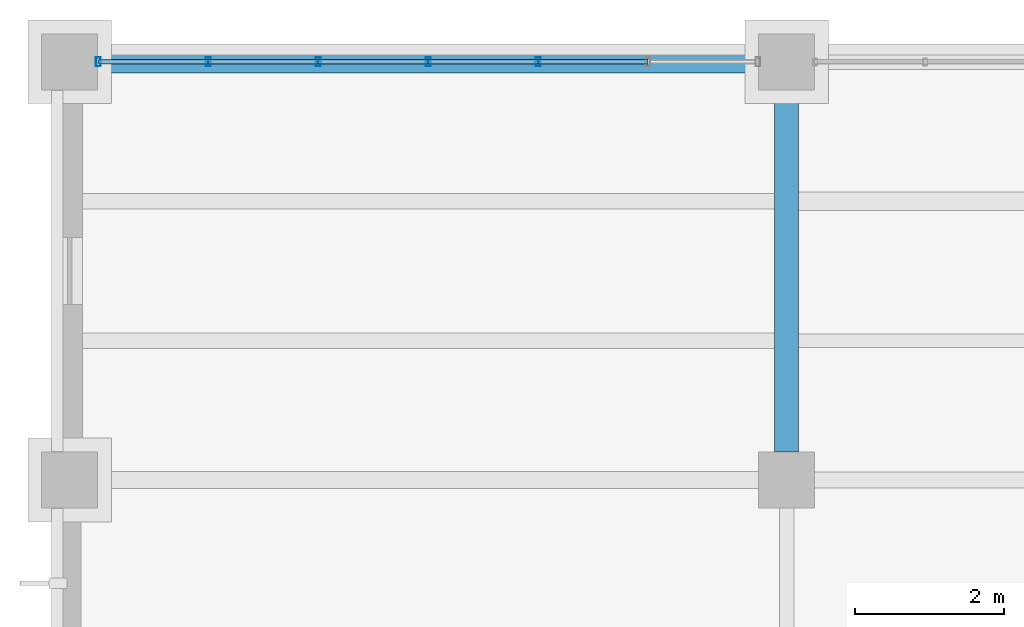
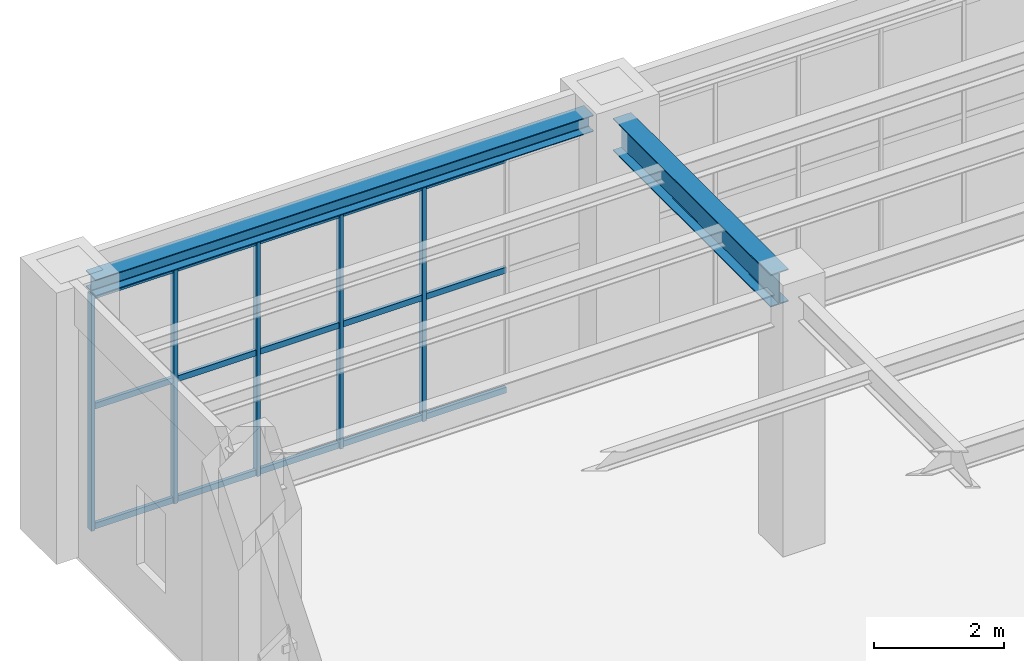
# One storey, part 74 of 174: 20 members, 2 beams, 1 element without a shape of its own.
"""IFC4 building model written with IfcOpenShell, lengths in metres."""

from ifc_helpers import new_model, si_unit, direction, frame, origin, origin_2d, place, context, subcontext, project, spatial, hollow_rectangle, i_section, extrude, material, material_profile, profile_set, type_object, element, aggregate, save


model = new_model("IFC4")

# Units and contexts
model_context = context("Model", 3, precision=1e-05, world=origin(), true_north=direction((0.0, 1.0)))
body_context = subcontext(model_context, "Body", "Model", "MODEL_VIEW")
ifc_project = project(units=[si_unit("LENGTHUNIT", "METRE"), si_unit("AREAUNIT", "SQUARE_METRE"), si_unit("VOLUMEUNIT", "CUBIC_METRE"), si_unit("PLANEANGLEUNIT", "RADIAN"), si_unit("MASSUNIT", "GRAM", prefix="KILO")], contexts=[model_context])

# Site, building, storey
site_placement = place(None, origin())
site = spatial("IfcSite", under=ifc_project, at=site_placement, CompositionType="ELEMENT")
building_placement = place(site_placement, origin())
building = spatial("IfcBuilding", under=site, at=building_placement, Name="Mavantir Sound Aquarium", CompositionType="ELEMENT")
storey_placement = place(building_placement, frame((0.0, 0.0, 5.39990234375)))
storey = spatial("IfcBuildingStorey", under=building, at=storey_placement, Name="L01", CompositionType="ELEMENT", Elevation=5.39990234375)

# Beams
ifc_material_1 = material(Name="Structural Steel ASTM A992 Gr50", Category="steel")
ifc_material_profile_1 = material_profile(ifc_material_1, i_section(OverallWidth=0.304931640625, OverallDepth=0.30810546875, WebThickness=0.010009765625, FlangeThickness=0.015380859375, FilletRadius=0.014892578125, at=origin_2d()), Name="W310X97")
ifc_profile_set_1 = profile_set([ifc_material_profile_1], Name="Structural Steel ASTM A992 Gr50")
beam_type_1 = type_object("IfcBeamType", Name="BM-W310X97-E", PredefinedType="SPANDREL", material=ifc_profile_set_1)
beam_1_placement = place(storey_placement, frame((0.375, 116.0, 4.6220703125), z_axis=(1.0, 0.0, 0.0), x_axis=(0.0, 1.0, 0.0)))
element("IfcBeam", 1, at=beam_1_placement, inside=storey, type_object=beam_type_1, Name="L01 primary beam SS-31A 1373", PredefinedType="SPANDREL", context=body_context, shape_type="SweptSolid", body=[
    extrude(i_section(OverallWidth=0.304931640625, OverallDepth=0.30810546875, WebThickness=0.010009765625, FlangeThickness=0.015380859375, FilletRadius=0.014892578125, at=origin_2d()), origin(), (0.0, 0.0, 1.0), 8.85009765625),
])
ifc_material_profile_2 = material_profile(ifc_material_1, i_section(OverallWidth=0.323974609375, OverallDepth=0.611083984375, WebThickness=0.0126953125, FlangeThickness=0.01904296875, FilletRadius=0.01904296875, at=origin_2d()), Name="W610X155")
ifc_profile_set_2 = profile_set([ifc_material_profile_2], Name="Structural Steel ASTM A992 Gr50")
beam_type_2 = type_object("IfcBeamType", Name="BM-W610X155-I", PredefinedType="BEAM", material=ifc_profile_set_2)
beam_2_placement = place(storey_placement, frame((9.60009765625, 110.77490234375, 4.470703125), z_axis=(0.0, 1.0, 0.0), x_axis=(-1.0, 0.0, 0.0)))
element("IfcBeam", 2, at=beam_2_placement, inside=storey, type_object=beam_type_2, Name="L01 primary girder SB-61A 1384", PredefinedType="BEAM", context=body_context, shape_type="SweptSolid", body=[
    extrude(i_section(OverallWidth=0.323974609375, OverallDepth=0.611083984375, WebThickness=0.0126953125, FlangeThickness=0.01904296875, FilletRadius=0.01904296875, at=origin_2d()), origin(), (0.0, 0.0, 1.0), 4.85009765625),
])

# Curtain wall, members
ifc_material_2 = material(Name="Anodised Marine Aluminium and Low-E Glass", Category="aluminium")
curtain_wall_type = type_object("IfcCurtainWallType", Name="CW-T24", PredefinedType="USERDEFINED", material=ifc_material_2)
curtain_wall_placement = place(storey_placement, origin())
curtain_wall = element("IfcCurtainWall", 3, at=curtain_wall_placement, inside=storey, type_object=curtain_wall_type, Name="L01 unitised curtain wall CW-24 120", ObjectType="UNITISED GLAZING", PredefinedType="USERDEFINED")
ifc_material_3 = material(Name="Anodised Marine Aluminium 6063-T6", Category="aluminium")
ifc_material_profile_3 = material_profile(ifc_material_3, hollow_rectangle(XDim=0.06494140625, YDim=0.1201171875, WallThickness=0.00390625, at=origin_2d()), Name="ALU-MULLION-120X65")
ifc_profile_set_3 = profile_set([ifc_material_profile_3], Name="Anodised Marine Aluminium 6063-T6")
member_type_1 = type_object("IfcMemberType", Name="CW-MUL-120", PredefinedType="MULLION", material=ifc_profile_set_3)
member_1_placement = place(storey_placement, frame((6.272216796875, 116.0, 0.0), z_axis=(0.0, 0.0, 1.0), x_axis=(1.0, 0.0, 0.0)))
member_1 = element("IfcMember", 4, at=member_1_placement, type_object=member_type_1, Name="CW-L01-120 vertical mullion 3", PredefinedType="MULLION", context=body_context, shape_type="SweptSolid", body=[
    extrude(hollow_rectangle(XDim=0.06494140625, YDim=0.1201171875, WallThickness=0.00390625, at=origin_2d()), origin(), (0.0, 0.0, 1.0), 4.43798828125),
])
member_2_placement = place(storey_placement, frame((4.800048828125, 116.0, 0.0), z_axis=(0.0, 0.0, 1.0), x_axis=(1.0, 0.0, 0.0)))
member_2 = element("IfcMember", 5, at=member_2_placement, type_object=member_type_1, Name="CW-L01-120 vertical mullion 4", PredefinedType="MULLION", context=body_context, shape_type="SweptSolid", body=[
    extrude(hollow_rectangle(XDim=0.06494140625, YDim=0.1201171875, WallThickness=0.00390625, at=origin_2d()), origin(), (0.0, 0.0, 1.0), 4.43798828125),
])
member_3_placement = place(storey_placement, frame((3.32763671875, 116.0, 0.0), z_axis=(0.0, 0.0, 1.0), x_axis=(1.0, 0.0, 0.0)))
member_3 = element("IfcMember", 6, at=member_3_placement, type_object=member_type_1, Name="CW-L01-120 vertical mullion 5", PredefinedType="MULLION", context=body_context, shape_type="SweptSolid", body=[
    extrude(hollow_rectangle(XDim=0.06494140625, YDim=0.1201171875, WallThickness=0.00390625, at=origin_2d()), origin(), (0.0, 0.0, 1.0), 4.43798828125),
])
member_4_placement = place(storey_placement, frame((1.855224609375, 116.0, 0.0), z_axis=(0.0, 0.0, 1.0), x_axis=(1.0, 0.0, 0.0)))
member_4 = element("IfcMember", 7, at=member_4_placement, type_object=member_type_1, Name="CW-L01-120 vertical mullion 6", PredefinedType="MULLION", context=body_context, shape_type="SweptSolid", body=[
    extrude(hollow_rectangle(XDim=0.06494140625, YDim=0.1201171875, WallThickness=0.00390625, at=origin_2d()), origin(), (0.0, 0.0, 1.0), 4.43798828125),
])
member_5_placement = place(storey_placement, frame((0.383056640625, 116.0, 0.0), z_axis=(0.0, 0.0, 1.0), x_axis=(1.0, 0.0, 0.0)))
member_5 = element("IfcMember", 8, at=member_5_placement, type_object=member_type_1, Name="CW-L01-120 vertical mullion 7", PredefinedType="MULLION", context=body_context, shape_type="SweptSolid", body=[
    extrude(hollow_rectangle(XDim=0.06494140625, YDim=0.1201171875, WallThickness=0.00390625, at=origin_2d()), origin(), (0.0, 0.0, 1.0), 4.43798828125),
])
ifc_material_profile_4 = material_profile(ifc_material_3, hollow_rectangle(XDim=0.06005859375, YDim=0.110107421875, WallThickness=0.00390625, at=origin_2d()), Name="ALU-TRANSOM-110X60")
ifc_profile_set_4 = profile_set([ifc_material_profile_4], Name="Anodised Marine Aluminium 6063-T6")
member_type_2 = type_object("IfcMemberType", Name="CW-TRN-110", PredefinedType="USERDEFINED", material=ifc_profile_set_4)
member_6_placement = place(storey_placement, frame((7.74462890625, 116.0, 0.05517578125), z_axis=(-1.0, 0.0, 0.0), x_axis=(0.0, -1.0, 0.0)))
member_6 = element("IfcMember", 9, at=member_6_placement, type_object=member_type_2, Name="CW-L01-120 transom 2.1", ObjectType="TRANSOM", PredefinedType="USERDEFINED", context=body_context, shape_type="SweptSolid", body=[
    extrude(hollow_rectangle(XDim=0.06005859375, YDim=0.110107421875, WallThickness=0.00390625, at=origin_2d()), origin(), (0.0, 0.0, 1.0), 1.472412109375),
])
member_7_placement = place(storey_placement, frame((7.74462890625, 116.0, 2.307861328125), z_axis=(-1.0, 0.0, 0.0), x_axis=(0.0, -1.0, 0.0)))
member_7 = element("IfcMember", 10, at=member_7_placement, type_object=member_type_2, Name="CW-L01-120 transom 2.2", ObjectType="TRANSOM", PredefinedType="USERDEFINED", context=body_context, shape_type="SweptSolid", body=[
    extrude(hollow_rectangle(XDim=0.06005859375, YDim=0.110107421875, WallThickness=0.00390625, at=origin_2d()), origin(), (0.0, 0.0, 1.0), 1.472412109375),
])
member_8_placement = place(storey_placement, frame((7.74462890625, 116.0, 4.383056640625), z_axis=(-1.0, 0.0, 0.0), x_axis=(0.0, -1.0, 0.0)))
member_8 = element("IfcMember", 11, at=member_8_placement, type_object=member_type_2, Name="CW-L01-120 transom 2.3", ObjectType="TRANSOM", PredefinedType="USERDEFINED", context=body_context, shape_type="SweptSolid", body=[
    extrude(hollow_rectangle(XDim=0.06005859375, YDim=0.110107421875, WallThickness=0.00390625, at=origin_2d()), origin(), (0.0, 0.0, 1.0), 1.472412109375),
])
member_9_placement = place(storey_placement, frame((6.272216796875, 116.0, 0.05517578125), z_axis=(-1.0, 0.0, 0.0), x_axis=(0.0, -1.0, 0.0)))
member_9 = element("IfcMember", 12, at=member_9_placement, type_object=member_type_2, Name="CW-L01-120 transom 3.1", ObjectType="TRANSOM", PredefinedType="USERDEFINED", context=body_context, shape_type="SweptSolid", body=[
    extrude(hollow_rectangle(XDim=0.06005859375, YDim=0.110107421875, WallThickness=0.00390625, at=origin_2d()), origin(), (0.0, 0.0, 1.0), 1.47216796875),
])
member_10_placement = place(storey_placement, frame((6.272216796875, 116.0, 2.307861328125), z_axis=(-1.0, 0.0, 0.0), x_axis=(0.0, -1.0, 0.0)))
member_10 = element("IfcMember", 13, at=member_10_placement, type_object=member_type_2, Name="CW-L01-120 transom 3.2", ObjectType="TRANSOM", PredefinedType="USERDEFINED", context=body_context, shape_type="SweptSolid", body=[
    extrude(hollow_rectangle(XDim=0.06005859375, YDim=0.110107421875, WallThickness=0.00390625, at=origin_2d()), origin(), (0.0, 0.0, 1.0), 1.47216796875),
])
member_11_placement = place(storey_placement, frame((6.272216796875, 116.0, 4.383056640625), z_axis=(-1.0, 0.0, 0.0), x_axis=(0.0, -1.0, 0.0)))
member_11 = element("IfcMember", 14, at=member_11_placement, type_object=member_type_2, Name="CW-L01-120 transom 3.3", ObjectType="TRANSOM", PredefinedType="USERDEFINED", context=body_context, shape_type="SweptSolid", body=[
    extrude(hollow_rectangle(XDim=0.06005859375, YDim=0.110107421875, WallThickness=0.00390625, at=origin_2d()), origin(), (0.0, 0.0, 1.0), 1.47216796875),
])
member_12_placement = place(storey_placement, frame((4.800048828125, 116.0, 0.05517578125), z_axis=(-1.0, 0.0, 0.0), x_axis=(0.0, -1.0, 0.0)))
member_12 = element("IfcMember", 15, at=member_12_placement, type_object=member_type_2, Name="CW-L01-120 transom 4.1", ObjectType="TRANSOM", PredefinedType="USERDEFINED", context=body_context, shape_type="SweptSolid", body=[
    extrude(hollow_rectangle(XDim=0.06005859375, YDim=0.110107421875, WallThickness=0.00390625, at=origin_2d()), origin(), (0.0, 0.0, 1.0), 1.472412109375),
])
member_13_placement = place(storey_placement, frame((4.800048828125, 116.0, 2.307861328125), z_axis=(-1.0, 0.0, 0.0), x_axis=(0.0, -1.0, 0.0)))
member_13 = element("IfcMember", 16, at=member_13_placement, type_object=member_type_2, Name="CW-L01-120 transom 4.2", ObjectType="TRANSOM", PredefinedType="USERDEFINED", context=body_context, shape_type="SweptSolid", body=[
    extrude(hollow_rectangle(XDim=0.06005859375, YDim=0.110107421875, WallThickness=0.00390625, at=origin_2d()), origin(), (0.0, 0.0, 1.0), 1.472412109375),
])
member_14_placement = place(storey_placement, frame((4.800048828125, 116.0, 4.383056640625), z_axis=(-1.0, 0.0, 0.0), x_axis=(0.0, -1.0, 0.0)))
member_14 = element("IfcMember", 17, at=member_14_placement, type_object=member_type_2, Name="CW-L01-120 transom 4.3", ObjectType="TRANSOM", PredefinedType="USERDEFINED", context=body_context, shape_type="SweptSolid", body=[
    extrude(hollow_rectangle(XDim=0.06005859375, YDim=0.110107421875, WallThickness=0.00390625, at=origin_2d()), origin(), (0.0, 0.0, 1.0), 1.472412109375),
])
member_15_placement = place(storey_placement, frame((3.32763671875, 116.0, 0.05517578125), z_axis=(-1.0, 0.0, 0.0), x_axis=(0.0, -1.0, 0.0)))
member_15 = element("IfcMember", 18, at=member_15_placement, type_object=member_type_2, Name="CW-L01-120 transom 5.1", ObjectType="TRANSOM", PredefinedType="USERDEFINED", context=body_context, shape_type="SweptSolid", body=[
    extrude(hollow_rectangle(XDim=0.06005859375, YDim=0.110107421875, WallThickness=0.00390625, at=origin_2d()), origin(), (0.0, 0.0, 1.0), 1.472412109375),
])
member_16_placement = place(storey_placement, frame((3.32763671875, 116.0, 2.307861328125), z_axis=(-1.0, 0.0, 0.0), x_axis=(0.0, -1.0, 0.0)))
member_16 = element("IfcMember", 19, at=member_16_placement, type_object=member_type_2, Name="CW-L01-120 transom 5.2", ObjectType="TRANSOM", PredefinedType="USERDEFINED", context=body_context, shape_type="SweptSolid", body=[
    extrude(hollow_rectangle(XDim=0.06005859375, YDim=0.110107421875, WallThickness=0.00390625, at=origin_2d()), origin(), (0.0, 0.0, 1.0), 1.472412109375),
])
member_17_placement = place(storey_placement, frame((3.32763671875, 116.0, 4.383056640625), z_axis=(-1.0, 0.0, 0.0), x_axis=(0.0, -1.0, 0.0)))
member_17 = element("IfcMember", 20, at=member_17_placement, type_object=member_type_2, Name="CW-L01-120 transom 5.3", ObjectType="TRANSOM", PredefinedType="USERDEFINED", context=body_context, shape_type="SweptSolid", body=[
    extrude(hollow_rectangle(XDim=0.06005859375, YDim=0.110107421875, WallThickness=0.00390625, at=origin_2d()), origin(), (0.0, 0.0, 1.0), 1.472412109375),
])
member_18_placement = place(storey_placement, frame((1.855224609375, 116.0, 0.05517578125), z_axis=(-1.0, 0.0, 0.0), x_axis=(0.0, -1.0, 0.0)))
member_18 = element("IfcMember", 21, at=member_18_placement, type_object=member_type_2, Name="CW-L01-120 transom 6.1", ObjectType="TRANSOM", PredefinedType="USERDEFINED", context=body_context, shape_type="SweptSolid", body=[
    extrude(hollow_rectangle(XDim=0.06005859375, YDim=0.110107421875, WallThickness=0.00390625, at=origin_2d()), origin(), (0.0, 0.0, 1.0), 1.47216796875),
])
member_19_placement = place(storey_placement, frame((1.855224609375, 116.0, 2.307861328125), z_axis=(-1.0, 0.0, 0.0), x_axis=(0.0, -1.0, 0.0)))
member_19 = element("IfcMember", 22, at=member_19_placement, type_object=member_type_2, Name="CW-L01-120 transom 6.2", ObjectType="TRANSOM", PredefinedType="USERDEFINED", context=body_context, shape_type="SweptSolid", body=[
    extrude(hollow_rectangle(XDim=0.06005859375, YDim=0.110107421875, WallThickness=0.00390625, at=origin_2d()), origin(), (0.0, 0.0, 1.0), 1.47216796875),
])
member_20_placement = place(storey_placement, frame((1.855224609375, 116.0, 4.383056640625), z_axis=(-1.0, 0.0, 0.0), x_axis=(0.0, -1.0, 0.0)))
member_20 = element("IfcMember", 23, at=member_20_placement, type_object=member_type_2, Name="CW-L01-120 transom 6.3", ObjectType="TRANSOM", PredefinedType="USERDEFINED", context=body_context, shape_type="SweptSolid", body=[
    extrude(hollow_rectangle(XDim=0.06005859375, YDim=0.110107421875, WallThickness=0.00390625, at=origin_2d()), origin(), (0.0, 0.0, 1.0), 1.47216796875),
])
aggregate(curtain_wall, [member_1, member_2, member_3, member_4, member_5, member_6, member_7, member_8, member_9, member_10, member_11, member_12, member_13, member_14, member_15, member_16, member_17, member_18, member_19, member_20])

save(model, "model.ifc")
